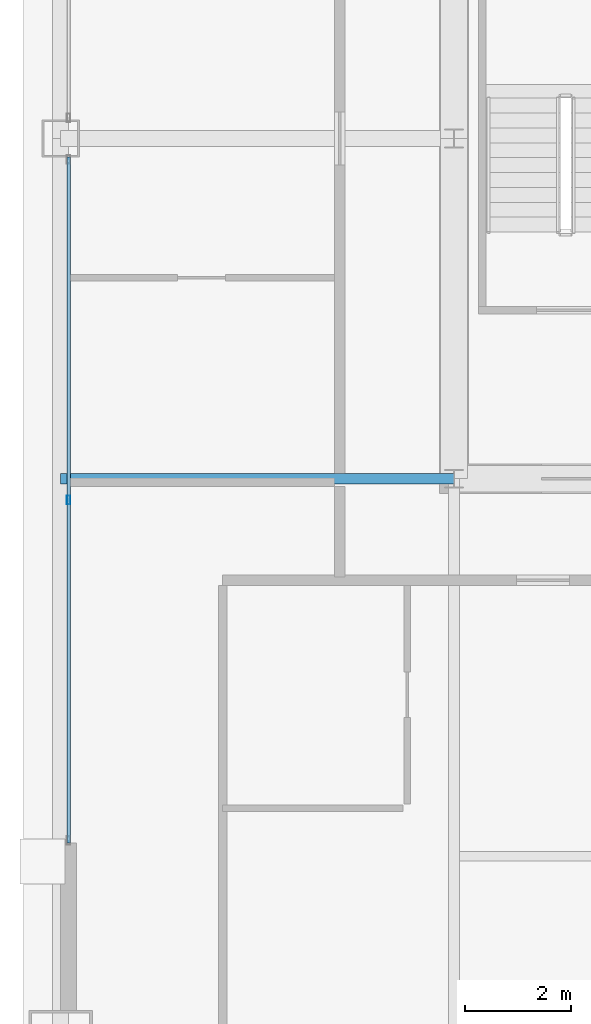
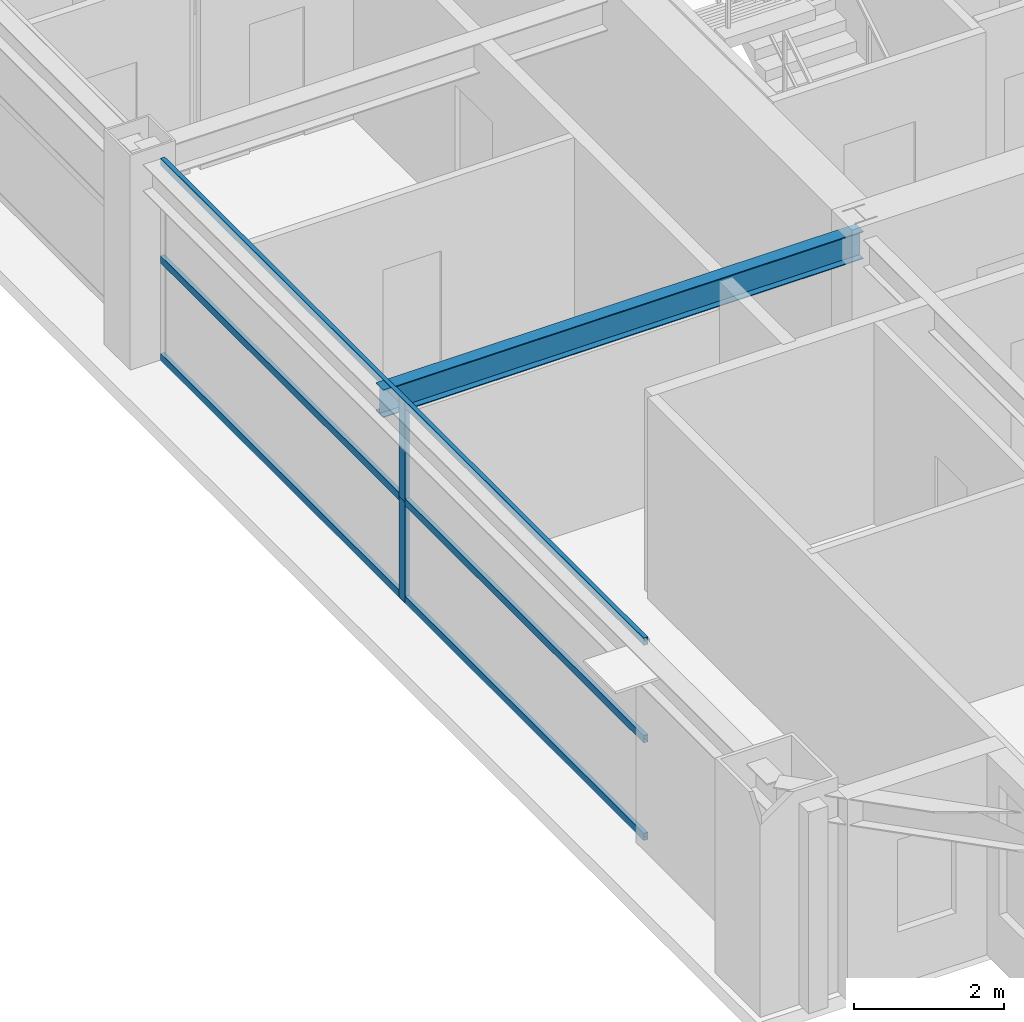
# One storey, part 8 of 37: 5 members, 1 beam, 1 element without a shape of its own.
"""IFC4 building model written with IfcOpenShell, lengths in metres."""

from ifc_helpers import new_model, si_unit, direction, frame, origin, origin_2d, place, context, subcontext, project, spatial, hollow_rectangle, i_section, extrude, source, transform, mapped, material, layer, layer_set, material_profile, profile_set, type_object, element, aggregate, save


model = new_model("IFC4")

# Units and contexts
model_context = context("Model", 3, precision=1e-05, world=origin(), true_north=direction((0.0, 1.0)))
body_context = subcontext(model_context, "Body", "Model", "MODEL_VIEW")
ifc_project = project(units=[si_unit("LENGTHUNIT", "METRE"), si_unit("AREAUNIT", "SQUARE_METRE"), si_unit("VOLUMEUNIT", "CUBIC_METRE"), si_unit("PLANEANGLEUNIT", "RADIAN"), si_unit("MASSUNIT", "GRAM", prefix="KILO"), si_unit("THERMODYNAMICTEMPERATUREUNIT", "KELVIN"), si_unit("POWERUNIT", "WATT")], contexts=[model_context])

# Site, building, storey
site_placement = place(None, origin())
site = spatial("IfcSite", under=ifc_project, at=site_placement, CompositionType="ELEMENT")
building_placement = place(site_placement, origin())
building = spatial("IfcBuilding", under=site, at=building_placement, Name="Yuzanri Waterfront Tower", CompositionType="ELEMENT")
storey_placement = place(building_placement, frame((0.0, 0.0, 275.10009765625)))
storey = spatial("IfcBuildingStorey", under=building, at=storey_placement, Name="L73", CompositionType="ELEMENT", Elevation=275.10009765625)

# Beam
ifc_material_1 = material(Name="Steel Q355B", Category="steel")
ifc_material_profile_1 = material_profile(ifc_material_1, i_section(OverallWidth=0.199951171875, OverallDepth=0.449951171875, WebThickness=0.009033203125, FlangeThickness=0.013916015625, at=origin_2d()), Name="HN 450x200x9x14")
ifc_profile_set_1 = profile_set([ifc_material_profile_1], Name="Steel Q355B")
beam_type = type_object("IfcBeamType", Name="Secondary Floor Beam Q355B HN 450x200", PredefinedType="BEAM", material=ifc_profile_set_1)
shared_shape_1 = source(origin(), body_context, "Body", "SweptSolid", [
    extrude(i_section(OverallWidth=0.199951171875, OverallDepth=0.449951171875, WebThickness=0.009033203125, FlangeThickness=0.013916015625, at=origin_2d()), origin(), (0.0, 0.0, 1.0), 7.400146484375),
])
beam_placement = place(storey_placement, frame((23.800048828125, 19.39990234375, 3.054931640625), z_axis=(-1.0, 0.0, 0.0), x_axis=(0.0, -1.0, 0.0)))
element("IfcBeam", 1, at=beam_placement, inside=storey, type_object=beam_type, Name="L73 West-South Core Line Beam", PredefinedType="BEAM", context=body_context, shape_type="MappedRepresentation", body=[
    mapped(shared_shape_1, transform((0.0, 0.0, 0.0), scale=1.0)),
])

# Curtain wall, members
ifc_material_2 = material(Name="Anodized Architectural Bronze", Category="metal")
ifc_layer = layer(ifc_material_2, 0.159912109375)
ifc_layer_set = layer_set([ifc_layer], Name="Anodized Architectural Bronze")
curtain_wall_type = type_object("IfcCurtainWallType", Name="Anodized Bronze Mid-Rise Residential Acoustic Unitized Curtain Wall 7200", PredefinedType="NOTDEFINED", material=ifc_layer_set)
curtain_wall_placement = place(storey_placement, origin())
curtain_wall = element("IfcCurtainWall", 2, at=curtain_wall_placement, inside=storey, type_object=curtain_wall_type, Name="L73 Curtain Wall CW-L73-WL", PredefinedType="NOTDEFINED")
ifc_material_3 = material(Name="Anodized Architectural Bronze", Category="metal")
ifc_material_profile_2 = material_profile(ifc_material_3, hollow_rectangle(XDim=0.06494140625, YDim=0.159912109375, WallThickness=0.00341796875, at=origin_2d()), Name="CWM 65x160")
ifc_profile_set_2 = profile_set([ifc_material_profile_2], Name="Anodized Architectural Bronze")
member_type_1 = type_object("IfcMemberType", Name="Anodized Bronze Upper-Zone Curtain-Wall Mullion 65x160", PredefinedType="MULLION", material=ifc_profile_set_2)
shared_shape_2 = source(origin(), body_context, "Body", "SweptSolid", [
    extrude(hollow_rectangle(XDim=0.06494140625, YDim=0.159912109375, WallThickness=0.00341796875, at=origin_2d()), origin(), (0.0, 0.0, 1.0), 1.637939453125),
])
member_1_placement = place(storey_placement, frame((16.550048828125, 19.0, 0.0), z_axis=(0.0, 0.0, 1.0), x_axis=(1.0, 0.0, 0.0)))
member_1 = element("IfcMember", 3, at=member_1_placement, type_object=member_type_1, Name="CW-L73-WL Lower Mullion 01", PredefinedType="MULLION", context=body_context, shape_type="MappedRepresentation", body=[
    mapped(shared_shape_2, transform((0.0, 0.0, 0.0), scale=1.0)),
])
member_2_placement = place(storey_placement, frame((16.550048828125, 19.0, 1.641845703125), z_axis=(0.0, 0.0, 1.0), x_axis=(1.0, 0.0, 0.0)))
member_2 = element("IfcMember", 4, at=member_2_placement, type_object=member_type_1, Name="CW-L73-WL Upper Mullion 01", PredefinedType="MULLION", context=body_context, shape_type="MappedRepresentation", body=[
    mapped(shared_shape_2, transform((0.0, 0.0, 0.0), scale=1.0)),
])
ifc_material_4 = material(Name="Anodized Architectural Bronze", Category="metal")
ifc_material_profile_3 = material_profile(ifc_material_4, hollow_rectangle(XDim=0.06494140625, YDim=0.1201171875, WallThickness=0.00341796875, at=origin_2d()), Name="CWT 65x120")
ifc_profile_set_3 = profile_set([ifc_material_profile_3], Name="Anodized Architectural Bronze")
member_type_2 = type_object("IfcMemberType", Name="Anodized Bronze Secondary Curtain-Wall Transom 65x120", PredefinedType="USERDEFINED", material=ifc_profile_set_3)
shared_shape_3 = source(origin(), body_context, "Body", "SweptSolid", [
    extrude(hollow_rectangle(XDim=0.06494140625, YDim=0.1201171875, WallThickness=0.00341796875, at=origin_2d()), origin(), (0.0, 0.0, 1.0), 12.89990234375),
])
member_3_placement = place(storey_placement, frame((16.550048828125, 12.550048828125, 0.0498046875), z_axis=(0.0, 1.0, 0.0), x_axis=(-1.0, 0.0, 0.0)))
member_3 = element("IfcMember", 5, at=member_3_placement, type_object=member_type_2, Name="CW-L73-WL Transom 1", ObjectType="TRANSOM", PredefinedType="USERDEFINED", context=body_context, shape_type="MappedRepresentation", body=[
    mapped(shared_shape_3, transform((0.0, 0.0, 0.0), scale=1.0)),
])
member_4_placement = place(storey_placement, frame((16.550048828125, 12.550048828125, 1.639892578125), z_axis=(0.0, 1.0, 0.0), x_axis=(-1.0, 0.0, 0.0)))
member_4 = element("IfcMember", 6, at=member_4_placement, type_object=member_type_2, Name="CW-L73-WL Transom 2", ObjectType="TRANSOM", PredefinedType="USERDEFINED", context=body_context, shape_type="MappedRepresentation", body=[
    mapped(shared_shape_3, transform((0.0, 0.0, 0.0), scale=1.0)),
])
member_5_placement = place(storey_placement, frame((16.550048828125, 12.550048828125, 3.22998046875), z_axis=(0.0, 1.0, 0.0), x_axis=(-1.0, 0.0, 0.0)))
member_5 = element("IfcMember", 7, at=member_5_placement, type_object=member_type_2, Name="CW-L73-WL Transom 3", ObjectType="TRANSOM", PredefinedType="USERDEFINED", context=body_context, shape_type="MappedRepresentation", body=[
    mapped(shared_shape_3, transform((0.0, 0.0, 0.0), scale=1.0)),
])
aggregate(curtain_wall, [member_1, member_2, member_3, member_4, member_5])

save(model, "model.ifc")
